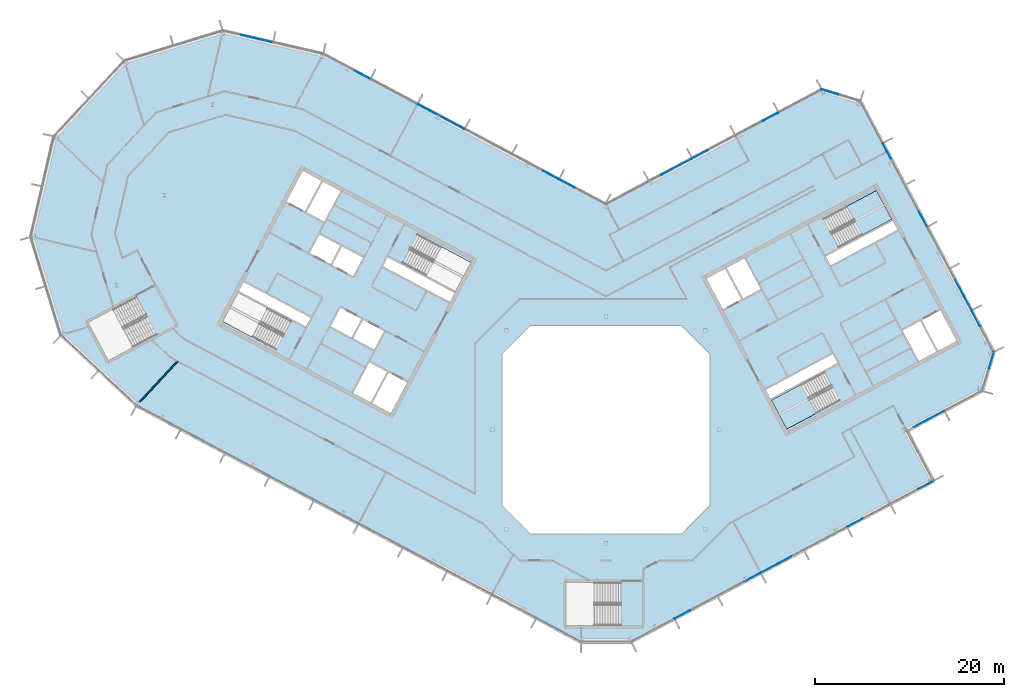
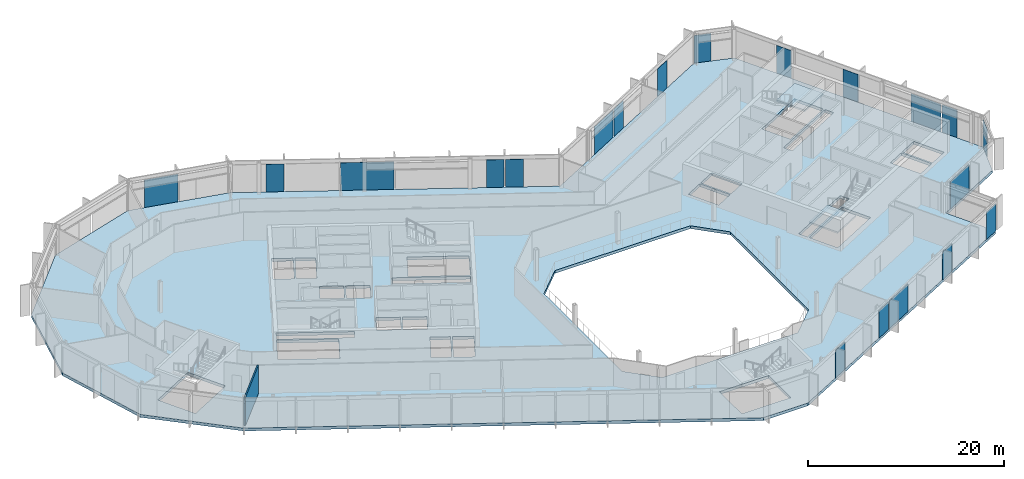
# One storey, part 12 of 26: 20 plates, 3 slabs, 1 wall, 10 elements without a shape of their own.
"""IFC4 building model written with IfcOpenShell, lengths in metres."""

from ifc_helpers import new_model, si_unit, direction, frame, frame_2d, origin, origin_2d, place, context, subcontext, project, spatial, polyline, rectangle, outline, extrude, material, layer, layer_set, type_object, element, aggregate, save


model = new_model("IFC4")

# Units and contexts
model_context = context("Model", 3, precision=1e-05, world=origin(), true_north=direction((0.0, 1.0)))
body_context = subcontext(model_context, "Body", "Model", "MODEL_VIEW")
ifc_project = project(units=[si_unit("LENGTHUNIT", "METRE"), si_unit("AREAUNIT", "SQUARE_METRE"), si_unit("VOLUMEUNIT", "CUBIC_METRE"), si_unit("PLANEANGLEUNIT", "RADIAN"), si_unit("MASSUNIT", "GRAM", prefix="KILO")], contexts=[model_context])

# Site, building, storey
site_placement = place(None, origin())
site = spatial("IfcSite", under=ifc_project, at=site_placement, CompositionType="ELEMENT")
building_placement = place(site_placement, origin())
building = spatial("IfcBuilding", under=site, at=building_placement, Name="Cormorant Relay Tower", CompositionType="ELEMENT")
storey_placement = place(building_placement, frame((0.0, 0.0, 285.300048828125)))
storey = spatial("IfcBuildingStorey", under=building, at=storey_placement, Name="L64", CompositionType="ELEMENT", Elevation=285.300048828125)

# Curtain wall, plates
ifc_material_1 = material(Name="Aluminium 6063-T6 anodised bronze", Category="aluminium")
ifc_layer_1 = layer(ifc_material_1, 0.199951171875)
ifc_layer_set_1 = layer_set([ifc_layer_1], Name="CW1 unitised bronze curtain wall with vertical fins")
curtain_wall_type = type_object("IfcCurtainWallType", Name="CW1 unitised bronze curtain wall with vertical fins", PredefinedType="NOTDEFINED", material=ifc_layer_set_1)
curtain_wall_1_placement = place(storey_placement, origin())
curtain_wall_1 = element("IfcCurtainWall", 1, at=curtain_wall_1_placement, inside=storey, type_object=curtain_wall_type, Name="CW1 curtain wall 2", PredefinedType="NOTDEFINED")
ifc_material_2 = material(Name="Tinted laminated glass", Category="glass")
ifc_layer_2 = layer(ifc_material_2, 0.0400390625)
ifc_layer_set_2 = layer_set([ifc_layer_2], Name="CW1 tinted vision panel 1800 module")
plate_type_1 = type_object("IfcPlateType", Name="CW1 tinted vision panel 1800 module", PredefinedType="CURTAIN_PANEL", material=ifc_layer_set_2)
plate_1_placement = place(storey_placement, frame((8.080810546875, -19.510009765625, 0.0), z_axis=(0.0, 0.0, 1.0), x_axis=(0.882947592859, 0.469471562786, 0.0)))
plate_1 = element("IfcPlate", 2, at=plate_1_placement, type_object=plate_type_1, Name="CW1 panel V01", PredefinedType="CURTAIN_PANEL", context=body_context, shape_type="SweptSolid", body=[
    extrude(rectangle(XDim=1.800048828125, YDim=0.0400390625, at=origin_2d()), origin(), (0.0, 0.0, 1.0), 3.449951171875),
])
plate_2_placement = place(storey_placement, frame((15.48291015625, -15.57421875, 0.0), z_axis=(0.0, 0.0, 1.0), x_axis=(0.882947592859, 0.469471562786, 0.0)))
plate_2 = element("IfcPlate", 3, at=plate_2_placement, type_object=plate_type_1, Name="CW1 panel V03", PredefinedType="CURTAIN_PANEL", context=body_context, shape_type="SweptSolid", body=[
    extrude(rectangle(XDim=1.800048828125, YDim=0.0400390625, at=origin_2d()), origin(), (0.0, 0.0, 1.0), 3.449951171875),
])
plate_3_placement = place(storey_placement, frame((26.328125, -9.8076171875, 0.0), z_axis=(0.0, 0.0, 1.0), x_axis=(0.882947592859, 0.469471562786, 0.0)))
plate_3 = element("IfcPlate", 4, at=plate_3_placement, type_object=plate_type_1, Name="CW1 panel V06", PredefinedType="CURTAIN_PANEL", context=body_context, shape_type="SweptSolid", body=[
    extrude(rectangle(XDim=1.800048828125, YDim=0.0400390625, at=origin_2d()), origin(), (0.0, 0.0, 1.0), 3.449951171875),
])
plate_4_placement = place(storey_placement, frame((33.796142578125, -5.8369140625, 0.0), z_axis=(0.0, 0.0, 1.0), x_axis=(0.882947592859, 0.469471562786, 0.0)))
plate_4 = element("IfcPlate", 5, at=plate_4_placement, type_object=plate_type_1, Name="CW1 panel V08", PredefinedType="CURTAIN_PANEL", context=body_context, shape_type="SweptSolid", body=[
    extrude(rectangle(XDim=1.800048828125, YDim=0.0400390625, at=origin_2d()), origin(), (0.0, 0.0, 1.0), 3.449951171875),
])

# Curtain wall, plate
curtain_wall_2_placement = place(storey_placement, origin())
curtain_wall_2 = element("IfcCurtainWall", 6, at=curtain_wall_2_placement, inside=storey, type_object=curtain_wall_type, Name="CW1 curtain wall 5", PredefinedType="NOTDEFINED")
plate_5_placement = place(storey_placement, frame((40.70751953125, 7.31689453125, 0.0), z_axis=(0.0, 0.0, 1.0), x_axis=(0.292371704723, 0.956304755963, 0.0)))
plate_5 = element("IfcPlate", 7, at=plate_5_placement, type_object=plate_type_1, Name="CW1 panel V01", PredefinedType="CURTAIN_PANEL", context=body_context, shape_type="SweptSolid", body=[
    extrude(rectangle(XDim=1.800048828125, YDim=0.0400390625, at=origin_2d()), origin(), (0.0, 0.0, 1.0), 3.449951171875),
])
aggregate(curtain_wall_2, [plate_5])

# Curtain wall, plates
curtain_wall_3_placement = place(storey_placement, origin())
curtain_wall_3 = element("IfcCurtainWall", 8, at=curtain_wall_3_placement, inside=storey, type_object=curtain_wall_type, Name="CW1 curtain wall 6", PredefinedType="NOTDEFINED")
plate_6_placement = place(storey_placement, frame((39.07958984375, 11.74658203125, 0.0), z_axis=(0.0, 0.0, 1.0), x_axis=(-0.469471562786, 0.882947592859, 0.0)))
plate_6 = element("IfcPlate", 9, at=plate_6_placement, type_object=plate_type_1, Name="CW1 panel V01", PredefinedType="CURTAIN_PANEL", context=body_context, shape_type="SweptSolid", body=[
    extrude(rectangle(XDim=1.800048828125, YDim=0.0400390625, at=origin_2d()), origin(), (0.0, 0.0, 1.0), 3.449951171875),
])
plate_7_placement = place(storey_placement, frame((33.469482421875, 22.298095703125, 0.0), z_axis=(0.0, 0.0, 1.0), x_axis=(-0.469471562786, 0.882947592859, 0.0)))
plate_7 = element("IfcPlate", 10, at=plate_7_placement, type_object=plate_type_1, Name="CW1 panel V04", PredefinedType="CURTAIN_PANEL", context=body_context, shape_type="SweptSolid", body=[
    extrude(rectangle(XDim=1.800048828125, YDim=0.0400390625, at=origin_2d()), origin(), (0.0, 0.0, 1.0), 3.449951171875),
])
plate_8_placement = place(storey_placement, frame((29.690185546875, 29.40576171875, 0.0), z_axis=(0.0, 0.0, 1.0), x_axis=(-0.469471562786, 0.882947592859, 0.0)))
plate_8 = element("IfcPlate", 11, at=plate_8_placement, type_object=plate_type_1, Name="CW1 panel V06", PredefinedType="CURTAIN_PANEL", context=body_context, shape_type="SweptSolid", body=[
    extrude(rectangle(XDim=1.800048828125, YDim=0.0400390625, at=origin_2d()), origin(), (0.0, 0.0, 1.0), 3.449951171875),
])

# Curtain wall, plate
curtain_wall_4_placement = place(storey_placement, origin())
curtain_wall_4 = element("IfcCurtainWall", 12, at=curtain_wall_4_placement, inside=storey, type_object=curtain_wall_type, Name="CW1 curtain wall 7", PredefinedType="NOTDEFINED")
plate_9_placement = place(storey_placement, frame((23.6767578125, 35.668212890625, 0.0), z_axis=(0.0, 0.0, 1.0), x_axis=(-0.956304755963, 0.292371704723, 0.0)))
plate_9 = element("IfcPlate", 13, at=plate_9_placement, type_object=plate_type_1, Name="CW1 panel V01", PredefinedType="CURTAIN_PANEL", context=body_context, shape_type="SweptSolid", body=[
    extrude(rectangle(XDim=1.800048828125, YDim=0.0400390625, at=origin_2d()), origin(), (0.0, 0.0, 1.0), 3.449951171875),
])
aggregate(curtain_wall_4, [plate_9])

# Curtain wall, plates
curtain_wall_5_placement = place(storey_placement, origin())
curtain_wall_5 = element("IfcCurtainWall", 14, at=curtain_wall_5_placement, inside=storey, type_object=curtain_wall_type, Name="CW1 curtain wall 8", PredefinedType="NOTDEFINED")
plate_10_placement = place(storey_placement, frame((17.3779296875, 33.046630859375, 0.0), z_axis=(0.0, 0.0, 1.0), x_axis=(-0.882947592859, -0.469471562786, 0.0)))
plate_10 = element("IfcPlate", 15, at=plate_10_placement, type_object=plate_type_1, Name="CW1 panel V01", PredefinedType="CURTAIN_PANEL", context=body_context, shape_type="SweptSolid", body=[
    extrude(rectangle(XDim=1.800048828125, YDim=0.0400390625, at=origin_2d()), origin(), (0.0, 0.0, 1.0), 3.449951171875),
])
plate_11_placement = place(storey_placement, frame((9.9755859375, 29.110595703125, 0.0), z_axis=(0.0, 0.0, 1.0), x_axis=(-0.882947592859, -0.469471562786, 0.0)))
plate_11 = element("IfcPlate", 16, at=plate_11_placement, type_object=plate_type_1, Name="CW1 panel V03", PredefinedType="CURTAIN_PANEL", context=body_context, shape_type="SweptSolid", body=[
    extrude(rectangle(XDim=1.800048828125, YDim=0.0400390625, at=origin_2d()), origin(), (0.0, 0.0, 1.0), 3.449951171875),
])

curtain_wall_6_placement = place(storey_placement, origin())
curtain_wall_6 = element("IfcCurtainWall", 17, at=curtain_wall_6_placement, inside=storey, type_object=curtain_wall_type, Name="CW1 curtain wall 9", PredefinedType="NOTDEFINED")
plate_12_placement = place(storey_placement, frame((-4.108642578125, 25.9912109375, 0.0), z_axis=(0.0, 0.0, 1.0), x_axis=(-0.882947592859, 0.469471562786, 0.0)))
plate_12 = element("IfcPlate", 18, at=plate_12_placement, type_object=plate_type_1, Name="CW1 panel V01", PredefinedType="CURTAIN_PANEL", context=body_context, shape_type="SweptSolid", body=[
    extrude(rectangle(XDim=1.800048828125, YDim=0.0400390625, at=origin_2d()), origin(), (0.0, 0.0, 1.0), 3.449951171875),
])
plate_13_placement = place(storey_placement, frame((-5.830322265625, 26.90673828125, 0.0), z_axis=(0.0, 0.0, 1.0), x_axis=(-0.882947592859, 0.469471562786, 0.0)))
plate_13 = element("IfcPlate", 19, at=plate_13_placement, type_object=plate_type_1, Name="CW1 panel V02", PredefinedType="CURTAIN_PANEL", context=body_context, shape_type="SweptSolid", body=[
    extrude(rectangle(XDim=1.800048828125, YDim=0.0400390625, at=origin_2d()), origin(), (0.0, 0.0, 1.0), 3.449951171875),
])
plate_14_placement = place(storey_placement, frame((-25.746337890625, 37.49609375, 0.0), z_axis=(0.0, 0.0, 1.0), x_axis=(-0.882947592859, 0.469471562786, 0.0)))
plate_14 = element("IfcPlate", 20, at=plate_14_placement, type_object=plate_type_1, Name="CW1 panel V06", PredefinedType="CURTAIN_PANEL", context=body_context, shape_type="SweptSolid", body=[
    extrude(rectangle(XDim=1.800048828125, YDim=0.0400390625, at=origin_2d()), origin(), (0.0, 0.0, 1.0), 3.449951171875),
])

# Plate
ifc_material_3 = material(Name="Tinted laminated glass", Category="glass")
ifc_layer_3 = layer(ifc_material_3, 0.0400390625)
ifc_layer_set_3 = layer_set([ifc_layer_3], Name="CW1 tinted vision panel 3600 module")
plate_type_2 = type_object("IfcPlateType", Name="CW1 tinted vision panel 3600 module", PredefinedType="CURTAIN_PANEL", material=ifc_layer_set_3)
plate_15_placement = place(storey_placement, frame((17.999267578125, -14.236328125, 0.0), z_axis=(0.0, 0.0, 1.0), x_axis=(0.882947592859, 0.469471562786, 0.0)))
plate_15 = element("IfcPlate", 21, at=plate_15_placement, type_object=plate_type_2, Name="CW1 panel V04", PredefinedType="CURTAIN_PANEL", context=body_context, shape_type="SweptSolid", body=[
    extrude(rectangle(XDim=3.60009765625, YDim=0.0400390625, at=origin_2d()), origin(), (0.0, 0.0, 1.0), 3.449951171875),
])

aggregate(curtain_wall_1, [plate_1, plate_2, plate_15, plate_3, plate_4])

# Curtain wall, plate
curtain_wall_7_placement = place(storey_placement, origin())
curtain_wall_7 = element("IfcCurtainWall", 22, at=curtain_wall_7_placement, inside=storey, type_object=curtain_wall_type, Name="CW1 curtain wall 4", PredefinedType="NOTDEFINED")
plate_16_placement = place(storey_placement, frame((34.091796875, 1.11572265625, 0.0), z_axis=(0.0, 0.0, 1.0), x_axis=(0.882947592859, 0.469471562786, 0.0)))
plate_16 = element("IfcPlate", 23, at=plate_16_placement, type_object=plate_type_2, Name="CW1 panel V01", PredefinedType="CURTAIN_PANEL", context=body_context, shape_type="SweptSolid", body=[
    extrude(rectangle(XDim=3.60009765625, YDim=0.0400390625, at=origin_2d()), origin(), (0.0, 0.0, 1.0), 3.449951171875),
])
aggregate(curtain_wall_7, [plate_16])

# Plate
plate_17_placement = place(storey_placement, frame((37.74169921875, 14.26318359375, 0.0), z_axis=(0.0, 0.0, 1.0), x_axis=(-0.469471562786, 0.882947592859, 0.0)))
plate_17 = element("IfcPlate", 24, at=plate_17_placement, type_object=plate_type_2, Name="CW1 panel V02", PredefinedType="CURTAIN_PANEL", context=body_context, shape_type="SweptSolid", body=[
    extrude(rectangle(XDim=3.60009765625, YDim=0.0400390625, at=origin_2d()), origin(), (0.0, 0.0, 1.0), 3.449951171875),
])

aggregate(curtain_wall_3, [plate_6, plate_17, plate_7, plate_8])

plate_18_placement = place(storey_placement, frame((7.458984375, 27.772705078125, 0.0), z_axis=(0.0, 0.0, 1.0), x_axis=(-0.882947592859, -0.469471562786, 0.0)))
plate_18 = element("IfcPlate", 25, at=plate_18_placement, type_object=plate_type_2, Name="CW1 panel V04", PredefinedType="CURTAIN_PANEL", context=body_context, shape_type="SweptSolid", body=[
    extrude(rectangle(XDim=3.60009765625, YDim=0.0400390625, at=origin_2d()), origin(), (0.0, 0.0, 1.0), 3.449951171875),
])

aggregate(curtain_wall_5, [plate_10, plate_11, plate_18])

# Curtain wall, plate
curtain_wall_8_placement = place(storey_placement, origin())
curtain_wall_8 = element("IfcCurtainWall", 26, at=curtain_wall_8_placement, inside=storey, type_object=curtain_wall_type, Name="CW1 curtain wall 10", PredefinedType="NOTDEFINED")
plate_19_placement = place(storey_placement, frame((-36.9921875, 41.33203125, 0.0), z_axis=(0.0, 0.0, 1.0), x_axis=(-0.974370064785, 0.224951054344, 0.0)))
plate_19 = element("IfcPlate", 27, at=plate_19_placement, type_object=plate_type_2, Name="CW1 panel V02", PredefinedType="CURTAIN_PANEL", context=body_context, shape_type="SweptSolid", body=[
    extrude(rectangle(XDim=3.60009765625, YDim=0.0400390625, at=origin_2d()), origin(), (0.0, 0.0, 1.0), 3.449951171875),
])
aggregate(curtain_wall_8, [plate_19])

# Plate
ifc_material_4 = material(Name="Tinted laminated glass", Category="glass")
ifc_layer_4 = layer(ifc_material_4, 0.0400390625)
ifc_layer_set_4 = layer_set([ifc_layer_4], Name="CW1 tinted vision panel 5400 module")
plate_type_3 = type_object("IfcPlateType", Name="CW1 tinted vision panel 5400 module", PredefinedType="CURTAIN_PANEL", material=ifc_layer_set_4)
plate_20_placement = place(storey_placement, frame((-17.4169921875, 33.0673828125, 0.0), z_axis=(0.0, 0.0, 1.0), x_axis=(-0.882947592859, 0.469471562786, 0.0)))
plate_20 = element("IfcPlate", 28, at=plate_20_placement, type_object=plate_type_3, Name="CW1 panel V04", PredefinedType="CURTAIN_PANEL", context=body_context, shape_type="SweptSolid", body=[
    extrude(rectangle(XDim=5.489013671875, YDim=0.0400390625, at=origin_2d()), origin(), (0.0, 0.0, 1.0), 3.449951171875),
])

aggregate(curtain_wall_6, [plate_12, plate_13, plate_20, plate_14])

# Stair, slab
ifc_material_5 = material(Name="Concrete 40 MPa", Category="concrete")
stair_type = type_object("IfcStairType", Name="Exit stair 1500", PredefinedType="HALF_TURN_STAIR", material=ifc_material_5)
stair_1_placement = place(storey_placement, origin())
stair_1 = element("IfcStair", 29, at=stair_1_placement, inside=storey, type_object=stair_type, Name="L64 Stair", PredefinedType="HALF_TURN_STAIR")
ifc_material_6 = material(Name="Concrete 40 MPa", Category="concrete")
ifc_layer_5 = layer(ifc_material_6, 0.199951171875)
ifc_layer_set_5 = layer_set([ifc_layer_5], Name="Exit stair landing 200")
slab_type_1 = type_object("IfcSlabType", Name="Exit stair landing 200", PredefinedType="LANDING", material=ifc_layer_set_5)
slab_1_placement = place(storey_placement, frame((0.0, 0.0, 1.75)))
slab_1 = element("IfcSlab", 30, at=slab_1_placement, type_object=slab_type_1, Name="B1 landing 1", PredefinedType="LANDING", context=body_context, shape_type="SweptSolid", body=[
    extrude(outline(polyline([(20.614990234375, 4.78857421875), (17.48046875, 3.1220703125), (19.10009765625, 0.075927734375), (22.234619140625, 1.742431640625), (20.614990234375, 4.78857421875)])), origin(), (0.0, 0.0, 1.0), 0.199951171875),
])
aggregate(stair_1, [slab_1])

stair_2_placement = place(storey_placement, origin())
stair_2 = element("IfcStair", 31, at=stair_2_placement, inside=storey, type_object=stair_type, Name="L64 Stair", PredefinedType="HALF_TURN_STAIR")
slab_2_placement = place(storey_placement, frame((0.0, 0.0, 1.75)))
slab_2 = element("IfcSlab", 32, at=slab_2_placement, type_object=slab_type_1, Name="B2 landing 1", PredefinedType="LANDING", context=body_context, shape_type="SweptSolid", body=[
    extrude(outline(polyline([(27.064208984375, 20.562744140625), (30.19873046875, 22.2294921875), (28.5791015625, 25.275634765625), (25.444580078125, 23.60888671875), (27.064208984375, 20.562744140625)])), origin(), (0.0, 0.0, 1.0), 0.199951171875),
])
aggregate(stair_2, [slab_2])

# Slab
ifc_material_7 = material(Name="Concrete 40 MPa", Category="concrete")
ifc_layer_6 = layer(ifc_material_7, 0.360107421875)
ifc_layer_set_6 = layer_set([ifc_layer_6], Name="Flat plate 360")
slab_type_2 = type_object("IfcSlabType", Name="Flat plate 360", PredefinedType="FLOOR", material=ifc_layer_set_6)
slab_3_placement = place(storey_placement, frame((0.0, 0.0, -0.360107421875)))
element("IfcSlab", 33, at=slab_3_placement, inside=storey, type_object=slab_type_2, Name="Floor slab L64", PredefinedType="FLOOR", context=body_context, shape_type="SweptSolid", body=[
    extrude(outline(polyline([(-60.7197265625, 20.393310546875), (-58.2744140625, 30.985107421875), (-50.86083984375, 38.935302734375), (-40.465576171875, 42.11328125), (-29.873779296875, 39.668212890625), (0.0, 23.783935546875), (22.810302734375, 35.912353515625), (26.867431640625, 34.671875), (40.95166015625, 8.18359375), (39.711181640625, 4.126220703125), (31.7646484375, -0.09912109375), (34.581298828125, -5.396728515625), (2.648681640625, -22.37548828125), (-2.648681640625, -22.37548828125), (-49.591552734375, 2.584228515625), (-57.541748046875, 9.997802734375), (-60.7197265625, 20.393310546875)]), holes=[polyline([(11.0, -8.0), (11.0, 8.0), (8.0, 11.0), (-8.0, 11.0), (-11.0, 8.0), (-11.0, -8.0), (-8.0, -11.0), (8.0, -11.0), (11.0, -8.0)]), polyline([(-22.95458984375, 6.03271484375), (-24.668212890625, 2.81005859375), (-22.725830078125, 1.777099609375), (-21.01220703125, 5.0), (-23.04296875, 6.07958984375), (-22.95458984375, 6.03271484375)]), polyline([(-24.985595703125, 7.112548828125), (-26.69921875, 3.889892578125), (-24.844970703125, 2.90380859375), (-23.13134765625, 6.126708984375), (-23.04296875, 6.07958984375), (-24.985595703125, 7.112548828125)]), polyline([(-24.481201171875, 8.48681640625), (-23.448486328125, 10.42919921875), (-25.656005859375, 11.602783203125), (-26.688720703125, 9.660400390625), (-24.481201171875, 8.48681640625)]), polyline([(-49.57861328125, 14.0537109375), (-54.69970703125, 11.330810546875), (-52.563720703125, 7.3134765625), (-47.442626953125, 10.036376953125), (-49.57861328125, 14.0537109375)]), polyline([(-25.83251953125, 11.69677734375), (-28.039794921875, 12.870361328125), (-29.07275390625, 10.927978515625), (-26.865234375, 9.75439453125), (-25.83251953125, 11.69677734375)]), polyline([(-38.847900390625, 14.483154296875), (-40.46728515625, 11.43701171875), (-34.860595703125, 8.455810546875), (-33.240966796875, 11.502197265625), (-38.847900390625, 14.483154296875)]), polyline([(-38.260986328125, 15.5869140625), (-38.75390625, 14.659912109375), (-31.690185546875, 10.904052734375), (-31.197265625, 11.8310546875), (-38.260986328125, 15.5869140625)]), polyline([(-26.702880859375, 16.23681640625), (-25.670166015625, 18.17919921875), (-27.87744140625, 19.35302734375), (-28.910400390625, 17.410400390625), (-26.702880859375, 16.23681640625)]), polyline([(-31.294189453125, 18.677978515625), (-29.0869140625, 17.50439453125), (-28.053955078125, 19.447021484375), (-30.261474609375, 20.62060546875), (-31.294189453125, 18.677978515625)]), polyline([(-31.611572265625, 22.980712890625), (-29.75732421875, 21.99462890625), (-28.043701171875, 25.217529296875), (-29.89794921875, 26.203369140625), (-31.611572265625, 22.980712890625)]), polyline([(-32.01708984375, 27.330078125), (-33.73046875, 24.107421875), (-31.7880859375, 23.074462890625), (-30.074462890625, 26.29736328125), (-32.01708984375, 27.330078125)]), polyline([(-4.199951171875, -16.125), (-4.199951171875, -20.675048828125), (1.60009765625, -20.675048828125), (1.60009765625, -16.125), (-4.199951171875, -16.125)]), polyline([(17.48046875, 3.1220703125), (19.10009765625, 0.07568359375), (24.706787109375, 3.056884765625), (23.087158203125, 6.10302734375), (17.48046875, 3.1220703125)]), polyline([(17.386474609375, 3.298583984375), (24.4501953125, 7.054443359375), (23.957275390625, 7.9814453125), (16.8935546875, 4.2255859375), (17.386474609375, 3.298583984375)]), polyline([(33.197021484375, 11.478515625), (31.3427734375, 10.49267578125), (33.056396484375, 7.27001953125), (34.910400390625, 8.255859375), (33.197021484375, 11.478515625)]), polyline([(33.37353515625, 11.572509765625), (35.087158203125, 8.349609375), (37.029541015625, 9.382568359375), (35.31591796875, 12.605224609375), (33.37353515625, 11.572509765625)]), polyline([(14.3056640625, 13.779052734375), (12.592041015625, 17.001708984375), (10.649658203125, 15.968994140625), (12.36328125, 12.74609375), (14.39404296875, 13.825927734375), (14.3056640625, 13.779052734375)]), polyline([(16.33642578125, 14.85888671875), (14.622802734375, 18.08154296875), (12.768798828125, 17.095703125), (14.482421875, 13.872802734375), (14.39404296875, 13.825927734375), (16.33642578125, 14.85888671875)]), polyline([(-16.481689453125, 13.520263671875), (-15.989013671875, 14.447509765625), (-23.052490234375, 18.203125), (-23.54541015625, 17.276123046875), (-16.481689453125, 13.520263671875)]), polyline([(-15.89501953125, 14.6240234375), (-14.275390625, 17.670166015625), (-19.882080078125, 20.6513671875), (-21.501708984375, 17.605224609375), (-15.89501953125, 14.6240234375)]), polyline([(30.78564453125, 21.125732421875), (30.29248046875, 22.052978515625), (23.22900390625, 18.297119140625), (23.721923828125, 17.3701171875), (30.78564453125, 21.125732421875)]), polyline([(24.592041015625, 19.248291015625), (30.19873046875, 22.2294921875), (28.5791015625, 25.275634765625), (22.972412109375, 22.29443359375), (24.592041015625, 19.248291015625)])]), origin(), (0.0, 0.0, 1.0), 0.360107421875),
])

# Wall
ifc_material_8 = material(Name="Gypsum board partition")
ifc_layer_7 = layer(ifc_material_8, 0.14990234375)
ifc_layer_set_7 = layer_set([ifc_layer_7], Name="Tenant partition 150")
wall_type = type_object("IfcWallType", Name="Tenant partition 150", PredefinedType="PARTITIONING", material=ifc_layer_set_7)
wall_placement = place(storey_placement, frame((-45.2490234375, 7.240966796875, 0.0), z_axis=(0.0, 0.0, 1.0), x_axis=(-0.681993289905, -0.731358429584, 0.0)))
element("IfcWall", 34, at=wall_placement, inside=storey, type_object=wall_type, Name="wall/L64/part/012", PredefinedType="PARTITIONING", context=body_context, shape_type="SweptSolid", body=[
    extrude(rectangle(XDim=5.89013671875, YDim=0.14990234375, at=frame_2d((2.945068359375, 0.0))), origin(), (0.0, 0.0, 1.0), 3.5400390625),
])

save(model, "model.ifc")
